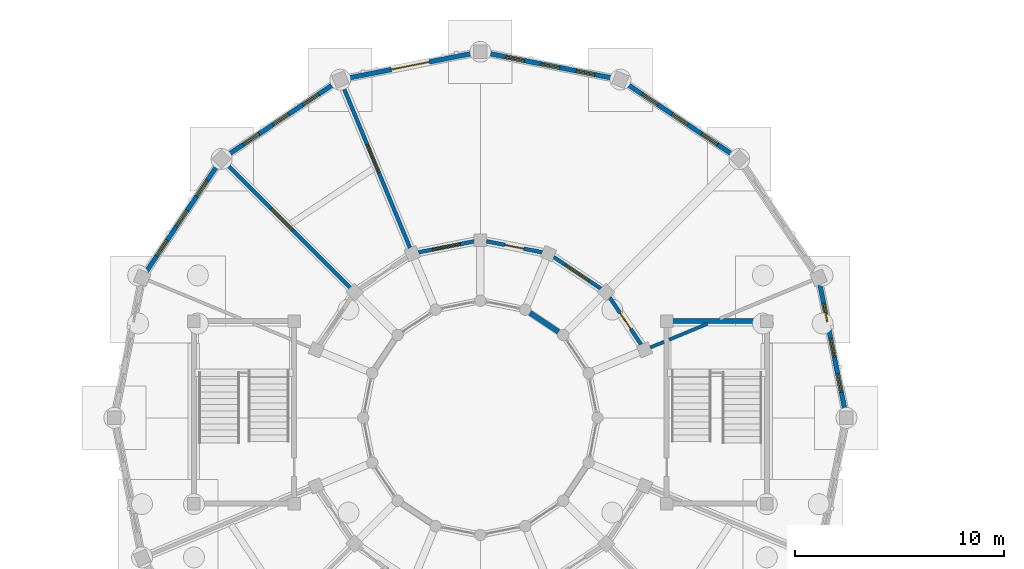
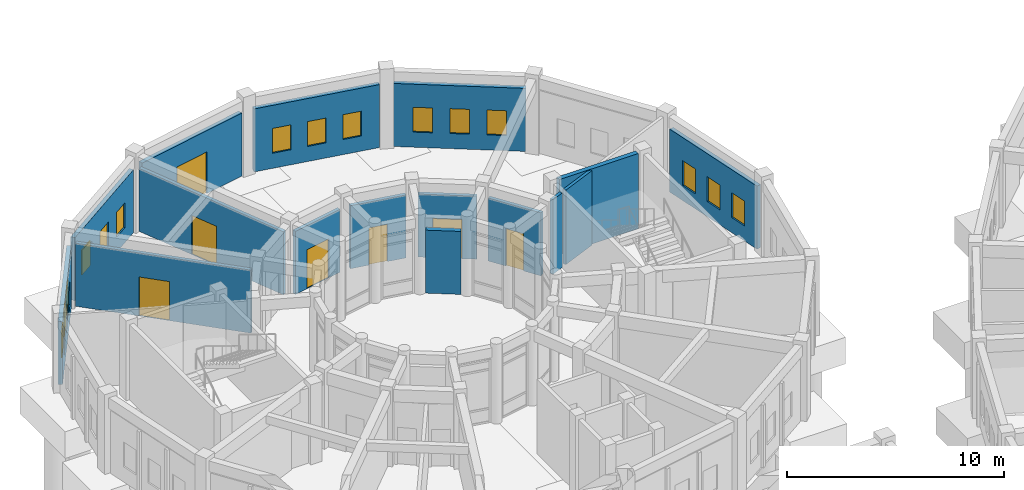
# One storey, part 129 of 153: 16 walls, 15 windows, 7 doors, 22 openings.
"""IFC4 building model written with IfcOpenShell, lengths in metres."""

from ifc_helpers import new_model, si_unit, direction, frame, frame_2d, origin, place, context, subcontext, project, spatial, rectangle, extrude, material, layer, layer_set, type_object, element, fill, save


model = new_model("IFC4")

# Units and contexts
model_context = context("Model", 3, precision=1e-05, world=origin(), true_north=direction((0.0, 1.0)))
body_context = subcontext(model_context, "Body", "Model", "MODEL_VIEW")
ifc_project = project(units=[si_unit("LENGTHUNIT", "METRE"), si_unit("AREAUNIT", "SQUARE_METRE"), si_unit("VOLUMEUNIT", "CUBIC_METRE"), si_unit("PLANEANGLEUNIT", "RADIAN"), si_unit("MASSUNIT", "GRAM", prefix="KILO")], contexts=[model_context])

# Site, building, storey
site_placement = place(None, origin())
site = spatial("IfcSite", under=ifc_project, at=site_placement, CompositionType="ELEMENT")
building_placement = place(site_placement, origin())
building = spatial("IfcBuilding", under=site, at=building_placement, Name="Celadon Cloister-Ring School", CompositionType="ELEMENT")
storey_placement = place(building_placement, origin())
storey = spatial("IfcBuildingStorey", under=building, at=storey_placement, Name="L00", CompositionType="ELEMENT", Elevation=0.0)

# Wall
ifc_material_1 = material(Name="Rendered concrete blockwork", Category="masonry")
ifc_layer_1 = layer(ifc_material_1, 0.239990234375)
ifc_layer_set_1 = layer_set([ifc_layer_1], Name="Rendered concrete blockwork")
wall_type_1 = type_object("IfcWallType", Name="WT-EX3", PredefinedType="SOLIDWALL", material=ifc_layer_set_1)
wall_1_placement = place(storey_placement, frame((23.929931640625, 101.114013671875, 0.0), z_axis=(0.0, 0.0, 1.0), x_axis=(-0.83165874011, 0.555287078904, 0.0)))
element("IfcWall", 1, at=wall_1_placement, inside=storey, type_object=wall_type_1, Name="Exterior Wall 0214", PredefinedType="SOLIDWALL", context=body_context, shape_type="SweptSolid", body=[
    extrude(rectangle(XDim=1.631591796875, YDim=0.239990234375, at=frame_2d((0.81591796875, 0.0))), origin(), (0.0, 0.0, 1.0), 3.550048828125),
])

# Wall, openings, windows
ifc_material_2 = material(Name="Perforated terracotta clay brick masonry", Category="masonry")
ifc_layer_2 = layer(ifc_material_2, 0.219970703125)
ifc_layer_set_2 = layer_set([ifc_layer_2], Name="Perforated terracotta clay brick masonry")
wall_type_2 = type_object("IfcWallType", Name="WT-EX4", PredefinedType="SOLIDWALL", material=ifc_layer_set_2)
wall_2_placement = place(storey_placement, frame((36.43701171875, 103.34912109375, 0.0), z_axis=(0.0, 0.0, 1.0), x_axis=(0.195149240347, -0.980773558979, 0.0)))
wall_2 = element("IfcWall", 2, at=wall_2_placement, inside=storey, type_object=wall_type_2, Name="Exterior Wall 0211", PredefinedType="SOLIDWALL", context=body_context, shape_type="SweptSolid", body=[
    extrude(rectangle(XDim=6.118896484375, YDim=0.219970703125, at=frame_2d((3.0595703125, 0.0))), origin(), (0.0, 0.0, 1.0), 3.550048828125),
])
opening_1_placement = place(wall_2_placement, frame((0.89599609375, 0.0, 0.85009765625)))
opening_1 = element("IfcOpeningElement", 3, at=opening_1_placement, cuts=wall_2, Name="Opening WN-21", PredefinedType="OPENING", context=body_context, shape_type="SweptSolid", body=[
    extrude(rectangle(XDim=0.89990234375, YDim=1.39990234375, at=frame_2d((0.449951171875, 0.699951171875))), frame((0.0, 0.1201171875, 0.0), z_axis=(0.0, -1.0, 0.0), x_axis=(1.0, 0.0, 0.0)), (0.0, 0.0, 1.0), 0.239990234375),
])
opening_2_placement = place(wall_2_placement, frame((2.60888671875, 0.0, 0.85009765625)))
opening_2 = element("IfcOpeningElement", 4, at=opening_2_placement, cuts=wall_2, Name="Opening WN-21", PredefinedType="OPENING", context=body_context, shape_type="SweptSolid", body=[
    extrude(rectangle(XDim=0.89990234375, YDim=1.39990234375, at=frame_2d((0.449951171875, 0.699951171875))), frame((0.0, 0.1201171875, 0.0), z_axis=(0.0, -1.0, 0.0), x_axis=(1.0, 0.0, 0.0)), (0.0, 0.0, 1.0), 0.239990234375),
])
opening_3_placement = place(wall_2_placement, frame((4.322998046875, 0.0, 0.85009765625)))
opening_3 = element("IfcOpeningElement", 5, at=opening_3_placement, cuts=wall_2, Name="Opening WN-21", PredefinedType="OPENING", context=body_context, shape_type="SweptSolid", body=[
    extrude(rectangle(XDim=0.89990234375, YDim=1.39990234375, at=frame_2d((0.449951171875, 0.699951171875))), frame((0.0, 0.1201171875, 0.0), z_axis=(0.0, -1.0, 0.0), x_axis=(1.0, 0.0, 0.0)), (0.0, 0.0, 1.0), 0.239990234375),
])
ifc_material_3 = material(Name="Tempered laminated insulating glass", Category="glass")
window_type = type_object("IfcWindowType", Name="WN-21", PartitioningType="SINGLE_PANEL", PredefinedType="WINDOW", material=ifc_material_3)
window_1_placement = place(opening_1_placement, origin())
window_1 = element("IfcWindow", 6, at=window_1_placement, inside=storey, type_object=window_type, Name="Window 0578", OverallHeight=1.39990234375, OverallWidth=0.89990234375, PartitioningType="SINGLE_PANEL", PredefinedType="WINDOW", context=body_context, shape_type="SweptSolid", body=[
    extrude(rectangle(XDim=0.89990234375, YDim=1.39990234375, at=frame_2d((0.449951171875, 0.699951171875))), frame((0.0, 0.030029296875, 0.0), z_axis=(0.0, -1.0, 0.0), x_axis=(1.0, 0.0, 0.0)), (0.0, 0.0, 1.0), 0.06005859375),
])
fill(opening_1, window_1)
window_2_placement = place(opening_2_placement, origin())
window_2 = element("IfcWindow", 7, at=window_2_placement, inside=storey, type_object=window_type, Name="Window 0579", OverallHeight=1.39990234375, OverallWidth=0.89990234375, PartitioningType="SINGLE_PANEL", PredefinedType="WINDOW", context=body_context, shape_type="SweptSolid", body=[
    extrude(rectangle(XDim=0.89990234375, YDim=1.39990234375, at=frame_2d((0.449951171875, 0.699951171875))), frame((0.0, 0.030029296875, 0.0), z_axis=(0.0, -1.0, 0.0), x_axis=(1.0, 0.0, 0.0)), (0.0, 0.0, 1.0), 0.06005859375),
])
fill(opening_2, window_2)
window_3_placement = place(opening_3_placement, origin())
window_3 = element("IfcWindow", 8, at=window_3_placement, inside=storey, type_object=window_type, Name="Window 0580", OverallHeight=1.39990234375, OverallWidth=0.89990234375, PartitioningType="SINGLE_PANEL", PredefinedType="WINDOW", context=body_context, shape_type="SweptSolid", body=[
    extrude(rectangle(XDim=0.89990234375, YDim=1.39990234375, at=frame_2d((0.449951171875, 0.699951171875))), frame((0.0, 0.030029296875, 0.0), z_axis=(0.0, -1.0, 0.0), x_axis=(1.0, 0.0, 0.0)), (0.0, 0.0, 1.0), 0.06005859375),
])
fill(opening_3, window_3)

wall_3_placement = place(storey_placement, frame((27.19189453125, 112.970947265625, 0.0), z_axis=(0.0, 0.0, 1.0), x_axis=(0.831411331728, -0.555657446161, 0.0)))
wall_3 = element("IfcWall", 9, at=wall_3_placement, inside=storey, type_object=wall_type_2, Name="Exterior Wall 0213", PredefinedType="SOLIDWALL", context=body_context, shape_type="SweptSolid", body=[
    extrude(rectangle(XDim=6.11865234375, YDim=0.219970703125, at=frame_2d((3.059326171875, 0.0))), origin(), (0.0, 0.0, 1.0), 3.550048828125),
])
opening_4_placement = place(wall_3_placement, frame((0.89599609375, 0.0, 0.85009765625)))
opening_4 = element("IfcOpeningElement", 10, at=opening_4_placement, cuts=wall_3, Name="Opening WN-21", PredefinedType="OPENING", context=body_context, shape_type="SweptSolid", body=[
    extrude(rectangle(XDim=0.89990234375, YDim=1.39990234375, at=frame_2d((0.449951171875, 0.699951171875))), frame((0.0, 0.1201171875, 0.0), z_axis=(0.0, -1.0, 0.0), x_axis=(1.0, 0.0, 0.0)), (0.0, 0.0, 1.0), 0.239990234375),
])
opening_5_placement = place(wall_3_placement, frame((2.60888671875, 0.0, 0.85009765625)))
opening_5 = element("IfcOpeningElement", 11, at=opening_5_placement, cuts=wall_3, Name="Opening WN-21", PredefinedType="OPENING", context=body_context, shape_type="SweptSolid", body=[
    extrude(rectangle(XDim=0.89990234375, YDim=1.39990234375, at=frame_2d((0.449951171875, 0.699951171875))), frame((0.0, 0.1201171875, 0.0), z_axis=(0.0, -1.0, 0.0), x_axis=(1.0, 0.0, 0.0)), (0.0, 0.0, 1.0), 0.239990234375),
])
opening_6_placement = place(wall_3_placement, frame((4.322998046875, 0.0, 0.85009765625)))
opening_6 = element("IfcOpeningElement", 12, at=opening_6_placement, cuts=wall_3, Name="Opening WN-21", PredefinedType="OPENING", context=body_context, shape_type="SweptSolid", body=[
    extrude(rectangle(XDim=0.89990234375, YDim=1.39990234375, at=frame_2d((0.449951171875, 0.699951171875))), frame((0.0, 0.1201171875, 0.0), z_axis=(0.0, -1.0, 0.0), x_axis=(1.0, 0.0, 0.0)), (0.0, 0.0, 1.0), 0.239990234375),
])
window_4_placement = place(opening_4_placement, origin())
window_4 = element("IfcWindow", 13, at=window_4_placement, inside=storey, type_object=window_type, Name="Window 0584", OverallHeight=1.39990234375, OverallWidth=0.89990234375, PartitioningType="SINGLE_PANEL", PredefinedType="WINDOW", context=body_context, shape_type="SweptSolid", body=[
    extrude(rectangle(XDim=0.89990234375, YDim=1.39990234375, at=frame_2d((0.449951171875, 0.699951171875))), frame((0.0, 0.030029296875, 0.0), z_axis=(0.0, -1.0, 0.0), x_axis=(1.0, 0.0, 0.0)), (0.0, 0.0, 1.0), 0.06005859375),
])
fill(opening_4, window_4)
window_5_placement = place(opening_5_placement, origin())
window_5 = element("IfcWindow", 14, at=window_5_placement, inside=storey, type_object=window_type, Name="Window 0585", OverallHeight=1.39990234375, OverallWidth=0.89990234375, PartitioningType="SINGLE_PANEL", PredefinedType="WINDOW", context=body_context, shape_type="SweptSolid", body=[
    extrude(rectangle(XDim=0.89990234375, YDim=1.39990234375, at=frame_2d((0.449951171875, 0.699951171875))), frame((0.0, 0.030029296875, 0.0), z_axis=(0.0, -1.0, 0.0), x_axis=(1.0, 0.0, 0.0)), (0.0, 0.0, 1.0), 0.06005859375),
])
fill(opening_5, window_5)
window_6_placement = place(opening_6_placement, origin())
window_6 = element("IfcWindow", 15, at=window_6_placement, inside=storey, type_object=window_type, Name="Window 0586", OverallHeight=1.39990234375, OverallWidth=0.89990234375, PartitioningType="SINGLE_PANEL", PredefinedType="WINDOW", context=body_context, shape_type="SweptSolid", body=[
    extrude(rectangle(XDim=0.89990234375, YDim=1.39990234375, at=frame_2d((0.449951171875, 0.699951171875))), frame((0.0, 0.030029296875, 0.0), z_axis=(0.0, -1.0, 0.0), x_axis=(1.0, 0.0, 0.0)), (0.0, 0.0, 1.0), 0.06005859375),
])
fill(opening_6, window_6)

wall_4_placement = place(storey_placement, frame((20.548095703125, 114.430908203125, 0.0), z_axis=(0.0, 0.0, 1.0), x_axis=(0.98077967596, -0.19511849534, 0.0)))
wall_4 = element("IfcWall", 16, at=wall_4_placement, inside=storey, type_object=wall_type_2, Name="Exterior Wall 0215", PredefinedType="SOLIDWALL", context=body_context, shape_type="SweptSolid", body=[
    extrude(rectangle(XDim=6.11865234375, YDim=0.219970703125, at=frame_2d((3.059326171875, 0.0))), origin(), (0.0, 0.0, 1.0), 3.550048828125),
])
opening_7_placement = place(wall_4_placement, frame((0.89599609375, 0.0, 0.85009765625)))
opening_7 = element("IfcOpeningElement", 17, at=opening_7_placement, cuts=wall_4, Name="Opening WN-21", PredefinedType="OPENING", context=body_context, shape_type="SweptSolid", body=[
    extrude(rectangle(XDim=0.89990234375, YDim=1.39990234375, at=frame_2d((0.449951171875, 0.699951171875))), frame((0.0, 0.1201171875, 0.0), z_axis=(0.0, -1.0, 0.0), x_axis=(1.0, 0.0, 0.0)), (0.0, 0.0, 1.0), 0.239990234375),
])
opening_8_placement = place(wall_4_placement, frame((2.60888671875, 0.0, 0.85009765625)))
opening_8 = element("IfcOpeningElement", 18, at=opening_8_placement, cuts=wall_4, Name="Opening WN-21", PredefinedType="OPENING", context=body_context, shape_type="SweptSolid", body=[
    extrude(rectangle(XDim=0.89990234375, YDim=1.39990234375, at=frame_2d((0.449951171875, 0.699951171875))), frame((0.0, 0.1201171875, 0.0), z_axis=(0.0, -1.0, 0.0), x_axis=(1.0, 0.0, 0.0)), (0.0, 0.0, 1.0), 0.239990234375),
])
opening_9_placement = place(wall_4_placement, frame((4.322998046875, 0.0, 0.85009765625)))
opening_9 = element("IfcOpeningElement", 19, at=opening_9_placement, cuts=wall_4, Name="Opening WN-21", PredefinedType="OPENING", context=body_context, shape_type="SweptSolid", body=[
    extrude(rectangle(XDim=0.89990234375, YDim=1.39990234375, at=frame_2d((0.449951171875, 0.699951171875))), frame((0.0, 0.1201171875, 0.0), z_axis=(0.0, -1.0, 0.0), x_axis=(1.0, 0.0, 0.0)), (0.0, 0.0, 1.0), 0.239990234375),
])
window_7_placement = place(opening_7_placement, origin())
window_7 = element("IfcWindow", 20, at=window_7_placement, inside=storey, type_object=window_type, Name="Window 0587", OverallHeight=1.39990234375, OverallWidth=0.89990234375, PartitioningType="SINGLE_PANEL", PredefinedType="WINDOW", context=body_context, shape_type="SweptSolid", body=[
    extrude(rectangle(XDim=0.89990234375, YDim=1.39990234375, at=frame_2d((0.449951171875, 0.699951171875))), frame((0.0, 0.030029296875, 0.0), z_axis=(0.0, -1.0, 0.0), x_axis=(1.0, 0.0, 0.0)), (0.0, 0.0, 1.0), 0.06005859375),
])
fill(opening_7, window_7)
window_8_placement = place(opening_8_placement, origin())
window_8 = element("IfcWindow", 21, at=window_8_placement, inside=storey, type_object=window_type, Name="Window 0588", OverallHeight=1.39990234375, OverallWidth=0.89990234375, PartitioningType="SINGLE_PANEL", PredefinedType="WINDOW", context=body_context, shape_type="SweptSolid", body=[
    extrude(rectangle(XDim=0.89990234375, YDim=1.39990234375, at=frame_2d((0.449951171875, 0.699951171875))), frame((0.0, 0.030029296875, 0.0), z_axis=(0.0, -1.0, 0.0), x_axis=(1.0, 0.0, 0.0)), (0.0, 0.0, 1.0), 0.06005859375),
])
fill(opening_8, window_8)
window_9_placement = place(opening_9_placement, origin())
window_9 = element("IfcWindow", 22, at=window_9_placement, inside=storey, type_object=window_type, Name="Window 0589", OverallHeight=1.39990234375, OverallWidth=0.89990234375, PartitioningType="SINGLE_PANEL", PredefinedType="WINDOW", context=body_context, shape_type="SweptSolid", body=[
    extrude(rectangle(XDim=0.89990234375, YDim=1.39990234375, at=frame_2d((0.449951171875, 0.699951171875))), frame((0.0, 0.030029296875, 0.0), z_axis=(0.0, -1.0, 0.0), x_axis=(1.0, 0.0, 0.0)), (0.0, 0.0, 1.0), 0.06005859375),
])
fill(opening_9, window_9)

# Wall, opening, door
wall_5_placement = place(storey_placement, frame((13.85107421875, 113.237060546875, 0.0), z_axis=(0.0, 0.0, 1.0), x_axis=(0.98077967596, 0.19511849534, 0.0)))
wall_5 = element("IfcWall", 23, at=wall_5_placement, inside=storey, type_object=wall_type_2, Name="Exterior Wall 0216", PredefinedType="SOLIDWALL", context=body_context, shape_type="SweptSolid", body=[
    extrude(rectangle(XDim=6.11865234375, YDim=0.219970703125, at=frame_2d((3.059326171875, 0.0))), origin(), (0.0, 0.0, 1.0), 3.550048828125),
])
opening_10_placement = place(wall_5_placement, frame((2.134033203125, 0.0, 0.0)))
opening_10 = element("IfcOpeningElement", 24, at=opening_10_placement, cuts=wall_5, Name="Opening D-0011", PredefinedType="OPENING", context=body_context, shape_type="SweptSolid", body=[
    extrude(rectangle(XDim=1.85009765625, YDim=2.35009765625, at=frame_2d((0.925048828125, 1.175048828125))), frame((0.0, 0.1201171875, 0.0), z_axis=(0.0, -1.0, 0.0), x_axis=(1.0, 0.0, 0.0)), (0.0, 0.0, 1.0), 0.239990234375),
])
ifc_material_4 = material(Name="Aluminium EN AW-6063 T6", Category="aluminium")
door_type_1 = type_object("IfcDoorType", Name="DE-10", OperationType="NOTDEFINED", PredefinedType="DOOR", material=ifc_material_4)
door_1_placement = place(opening_10_placement, origin())
door_1 = element("IfcDoor", 25, at=door_1_placement, inside=storey, type_object=door_type_1, Name="Exterior Door D-0011", OperationType="SINGLE_SWING_LEFT", OverallHeight=2.35009765625, OverallWidth=1.85009765625, PredefinedType="DOOR", context=body_context, shape_type="SweptSolid", body=[
    extrude(rectangle(XDim=1.85009765625, YDim=2.35009765625, at=frame_2d((0.925048828125, 1.175048828125))), frame((0.0, 0.02490234375, 0.0), z_axis=(0.0, -1.0, 0.0), x_axis=(1.0, 0.0, 0.0)), (0.0, 0.0, 1.0), 0.050048828125),
])
fill(opening_10, door_1)

# Wall, openings, windows
wall_6_placement = place(storey_placement, frame((8.12109375, 109.571044921875, 0.0), z_axis=(0.0, 0.0, 1.0), x_axis=(0.83139901156, 0.555675879967, 0.0)))
wall_6 = element("IfcWall", 26, at=wall_6_placement, inside=storey, type_object=wall_type_2, Name="Exterior Wall 0217", PredefinedType="SOLIDWALL", context=body_context, shape_type="SweptSolid", body=[
    extrude(rectangle(XDim=6.118408203125, YDim=0.219970703125, at=frame_2d((3.05908203125, 0.0))), origin(), (0.0, 0.0, 1.0), 3.550048828125),
])
opening_11_placement = place(wall_6_placement, frame((0.89599609375, 0.0, 0.85009765625)))
opening_11 = element("IfcOpeningElement", 27, at=opening_11_placement, cuts=wall_6, Name="Opening WN-21", PredefinedType="OPENING", context=body_context, shape_type="SweptSolid", body=[
    extrude(rectangle(XDim=0.89990234375, YDim=1.39990234375, at=frame_2d((0.449951171875, 0.699951171875))), frame((0.0, 0.1201171875, 0.0), z_axis=(0.0, -1.0, 0.0), x_axis=(1.0, 0.0, 0.0)), (0.0, 0.0, 1.0), 0.239990234375),
])
opening_12_placement = place(wall_6_placement, frame((2.60888671875, 0.0, 0.85009765625)))
opening_12 = element("IfcOpeningElement", 28, at=opening_12_placement, cuts=wall_6, Name="Opening WN-21", PredefinedType="OPENING", context=body_context, shape_type="SweptSolid", body=[
    extrude(rectangle(XDim=0.89990234375, YDim=1.39990234375, at=frame_2d((0.449951171875, 0.699951171875))), frame((0.0, 0.1201171875, 0.0), z_axis=(0.0, -1.0, 0.0), x_axis=(1.0, 0.0, 0.0)), (0.0, 0.0, 1.0), 0.239990234375),
])
opening_13_placement = place(wall_6_placement, frame((4.322998046875, 0.0, 0.85009765625)))
opening_13 = element("IfcOpeningElement", 29, at=opening_13_placement, cuts=wall_6, Name="Opening WN-21", PredefinedType="OPENING", context=body_context, shape_type="SweptSolid", body=[
    extrude(rectangle(XDim=0.89990234375, YDim=1.39990234375, at=frame_2d((0.449951171875, 0.699951171875))), frame((0.0, 0.1201171875, 0.0), z_axis=(0.0, -1.0, 0.0), x_axis=(1.0, 0.0, 0.0)), (0.0, 0.0, 1.0), 0.239990234375),
])
window_10_placement = place(opening_11_placement, origin())
window_10 = element("IfcWindow", 30, at=window_10_placement, inside=storey, type_object=window_type, Name="Window 0590", OverallHeight=1.39990234375, OverallWidth=0.89990234375, PartitioningType="SINGLE_PANEL", PredefinedType="WINDOW", context=body_context, shape_type="SweptSolid", body=[
    extrude(rectangle(XDim=0.89990234375, YDim=1.39990234375, at=frame_2d((0.449951171875, 0.699951171875))), frame((0.0, 0.030029296875, 0.0), z_axis=(0.0, -1.0, 0.0), x_axis=(1.0, 0.0, 0.0)), (0.0, 0.0, 1.0), 0.06005859375),
])
fill(opening_11, window_10)
window_11_placement = place(opening_12_placement, origin())
window_11 = element("IfcWindow", 31, at=window_11_placement, inside=storey, type_object=window_type, Name="Window 0591", OverallHeight=1.39990234375, OverallWidth=0.89990234375, PartitioningType="SINGLE_PANEL", PredefinedType="WINDOW", context=body_context, shape_type="SweptSolid", body=[
    extrude(rectangle(XDim=0.89990234375, YDim=1.39990234375, at=frame_2d((0.449951171875, 0.699951171875))), frame((0.0, 0.030029296875, 0.0), z_axis=(0.0, -1.0, 0.0), x_axis=(1.0, 0.0, 0.0)), (0.0, 0.0, 1.0), 0.06005859375),
])
fill(opening_12, window_11)
window_12_placement = place(opening_13_placement, origin())
window_12 = element("IfcWindow", 32, at=window_12_placement, inside=storey, type_object=window_type, Name="Window 0592", OverallHeight=1.39990234375, OverallWidth=0.89990234375, PartitioningType="SINGLE_PANEL", PredefinedType="WINDOW", context=body_context, shape_type="SweptSolid", body=[
    extrude(rectangle(XDim=0.89990234375, YDim=1.39990234375, at=frame_2d((0.449951171875, 0.699951171875))), frame((0.0, 0.030029296875, 0.0), z_axis=(0.0, -1.0, 0.0), x_axis=(1.0, 0.0, 0.0)), (0.0, 0.0, 1.0), 0.06005859375),
])
fill(opening_13, window_12)

wall_7_placement = place(storey_placement, frame((4.22900390625, 103.991943359375, 0.0), z_axis=(0.0, 0.0, 1.0), x_axis=(0.555657446161, 0.831411331728, 0.0)))
wall_7 = element("IfcWall", 33, at=wall_7_placement, inside=storey, type_object=wall_type_2, Name="Exterior Wall 0218", PredefinedType="SOLIDWALL", context=body_context, shape_type="SweptSolid", body=[
    extrude(rectangle(XDim=6.11865234375, YDim=0.219970703125, at=frame_2d((3.059326171875, 0.0))), origin(), (0.0, 0.0, 1.0), 3.550048828125),
])
opening_14_placement = place(wall_7_placement, frame((0.89599609375, 0.0, 0.85009765625)))
opening_14 = element("IfcOpeningElement", 34, at=opening_14_placement, cuts=wall_7, Name="Opening WN-21", PredefinedType="OPENING", context=body_context, shape_type="SweptSolid", body=[
    extrude(rectangle(XDim=0.89990234375, YDim=1.39990234375, at=frame_2d((0.449951171875, 0.699951171875))), frame((0.0, 0.1201171875, 0.0), z_axis=(0.0, -1.0, 0.0), x_axis=(1.0, 0.0, 0.0)), (0.0, 0.0, 1.0), 0.239990234375),
])
opening_15_placement = place(wall_7_placement, frame((2.60888671875, 0.0, 0.85009765625)))
opening_15 = element("IfcOpeningElement", 35, at=opening_15_placement, cuts=wall_7, Name="Opening WN-21", PredefinedType="OPENING", context=body_context, shape_type="SweptSolid", body=[
    extrude(rectangle(XDim=0.89990234375, YDim=1.39990234375, at=frame_2d((0.449951171875, 0.699951171875))), frame((0.0, 0.1201171875, 0.0), z_axis=(0.0, -1.0, 0.0), x_axis=(1.0, 0.0, 0.0)), (0.0, 0.0, 1.0), 0.239990234375),
])
opening_16_placement = place(wall_7_placement, frame((4.322998046875, 0.0, 0.85009765625)))
opening_16 = element("IfcOpeningElement", 36, at=opening_16_placement, cuts=wall_7, Name="Opening WN-21", PredefinedType="OPENING", context=body_context, shape_type="SweptSolid", body=[
    extrude(rectangle(XDim=0.89990234375, YDim=1.39990234375, at=frame_2d((0.449951171875, 0.699951171875))), frame((0.0, 0.1201171875, 0.0), z_axis=(0.0, -1.0, 0.0), x_axis=(1.0, 0.0, 0.0)), (0.0, 0.0, 1.0), 0.239990234375),
])
window_13_placement = place(opening_14_placement, origin())
window_13 = element("IfcWindow", 37, at=window_13_placement, inside=storey, type_object=window_type, Name="Window 0593", OverallHeight=1.39990234375, OverallWidth=0.89990234375, PartitioningType="SINGLE_PANEL", PredefinedType="WINDOW", context=body_context, shape_type="SweptSolid", body=[
    extrude(rectangle(XDim=0.89990234375, YDim=1.39990234375, at=frame_2d((0.449951171875, 0.699951171875))), frame((0.0, 0.030029296875, 0.0), z_axis=(0.0, -1.0, 0.0), x_axis=(1.0, 0.0, 0.0)), (0.0, 0.0, 1.0), 0.06005859375),
])
fill(opening_14, window_13)
window_14_placement = place(opening_15_placement, origin())
window_14 = element("IfcWindow", 38, at=window_14_placement, inside=storey, type_object=window_type, Name="Window 0594", OverallHeight=1.39990234375, OverallWidth=0.89990234375, PartitioningType="SINGLE_PANEL", PredefinedType="WINDOW", context=body_context, shape_type="SweptSolid", body=[
    extrude(rectangle(XDim=0.89990234375, YDim=1.39990234375, at=frame_2d((0.449951171875, 0.699951171875))), frame((0.0, 0.030029296875, 0.0), z_axis=(0.0, -1.0, 0.0), x_axis=(1.0, 0.0, 0.0)), (0.0, 0.0, 1.0), 0.06005859375),
])
fill(opening_15, window_14)
window_15_placement = place(opening_16_placement, origin())
window_15 = element("IfcWindow", 39, at=window_15_placement, inside=storey, type_object=window_type, Name="Window 0595", OverallHeight=1.39990234375, OverallWidth=0.89990234375, PartitioningType="SINGLE_PANEL", PredefinedType="WINDOW", context=body_context, shape_type="SweptSolid", body=[
    extrude(rectangle(XDim=0.89990234375, YDim=1.39990234375, at=frame_2d((0.449951171875, 0.699951171875))), frame((0.0, 0.030029296875, 0.0), z_axis=(0.0, -1.0, 0.0), x_axis=(1.0, 0.0, 0.0)), (0.0, 0.0, 1.0), 0.06005859375),
])
fill(opening_16, window_15)

# Wall, opening, door
ifc_material_5 = material(Name="Plastered hollow concrete masonry", Category="masonry")
ifc_layer_3 = layer(ifc_material_5, 0.179931640625)
ifc_layer_set_3 = layer_set([ifc_layer_3], Name="Plastered hollow concrete masonry")
wall_type_3 = type_object("IfcWallType", Name="WT-PT2", PredefinedType="PARTITIONING", material=ifc_layer_set_3)
wall_8_placement = place(storey_placement, frame((16.8359375, 105.123046875, 0.0), z_axis=(0.0, 0.0, 1.0), x_axis=(-0.382780060664, 0.923839501839, 0.0)))
wall_8 = element("IfcWall", 40, at=wall_8_placement, inside=storey, type_object=wall_type_3, Name="Interior Wall 0641", PredefinedType="PARTITIONING", context=body_context, shape_type="SweptSolid", body=[
    extrude(rectangle(XDim=8.39111328125, YDim=0.179931640625, at=frame_2d((4.195556640625, 0.0))), origin(), (0.0, 0.0, 1.0), 3.552001953125),
])
opening_17_placement = place(wall_8_placement, frame((3.89697265625, 0.0, 0.0)))
opening_17 = element("IfcOpeningElement", 41, at=opening_17_placement, cuts=wall_8, Name="Opening D-0235", PredefinedType="OPENING", context=body_context, shape_type="SweptSolid", body=[
    extrude(rectangle(XDim=1.449951171875, YDim=2.199951171875, at=frame_2d((0.72509765625, 1.10009765625))), frame((0.0, 0.10009765625, 0.0), z_axis=(0.0, -1.0, 0.0), x_axis=(1.0, 0.0, 0.0)), (0.0, 0.0, 1.0), 0.199951171875),
])
ifc_material_6 = material(Name="Galvanised fire-rated hollow steel leaf", Category="steel")
door_type_2 = type_object("IfcDoorType", Name="DT-12", OperationType="NOTDEFINED", PredefinedType="DOOR", material=ifc_material_6)
door_2_placement = place(opening_17_placement, origin())
door_2 = element("IfcDoor", 42, at=door_2_placement, inside=storey, type_object=door_type_2, Name="Door D-0235", OperationType="SINGLE_SWING_LEFT", OverallHeight=2.199951171875, OverallWidth=1.449951171875, PredefinedType="DOOR", context=body_context, shape_type="SweptSolid", body=[
    extrude(rectangle(XDim=1.449951171875, YDim=2.199951171875, at=frame_2d((0.72509765625, 1.10009765625))), frame((0.0, 0.02490234375, 0.0), z_axis=(0.0, -1.0, 0.0), x_axis=(1.0, 0.0, 0.0)), (0.0, 0.0, 1.0), 0.050048828125),
])
fill(opening_17, door_2)

wall_9_placement = place(storey_placement, frame((13.98388671875, 103.216064453125, 0.0), z_axis=(0.0, 0.0, 1.0), x_axis=(-0.707106781187, 0.707106781187, 0.0)))
wall_9 = element("IfcWall", 43, at=wall_9_placement, inside=storey, type_object=wall_type_3, Name="Interior Wall 0642", PredefinedType="PARTITIONING", context=body_context, shape_type="SweptSolid", body=[
    extrude(rectangle(XDim=8.3916015625, YDim=0.179931640625, at=frame_2d((4.19580078125, 0.0))), origin(), (0.0, 0.0, 1.0), 3.552001953125),
])
opening_18_placement = place(wall_9_placement, frame((3.89794921875, 0.0, 0.0)))
opening_18 = element("IfcOpeningElement", 44, at=opening_18_placement, cuts=wall_9, Name="Opening D-0236", PredefinedType="OPENING", context=body_context, shape_type="SweptSolid", body=[
    extrude(rectangle(XDim=1.449951171875, YDim=2.199951171875, at=frame_2d((0.72509765625, 1.10009765625))), frame((0.0, 0.10009765625, 0.0), z_axis=(0.0, -1.0, 0.0), x_axis=(1.0, 0.0, 0.0)), (0.0, 0.0, 1.0), 0.199951171875),
])
door_3_placement = place(opening_18_placement, origin())
door_3 = element("IfcDoor", 45, at=door_3_placement, inside=storey, type_object=door_type_2, Name="Door D-0236", OperationType="SINGLE_SWING_RIGHT", OverallHeight=2.199951171875, OverallWidth=1.449951171875, PredefinedType="DOOR", context=body_context, shape_type="SweptSolid", body=[
    extrude(rectangle(XDim=1.449951171875, YDim=2.199951171875, at=frame_2d((0.72509765625, 1.10009765625))), frame((0.0, 0.02490234375, 0.0), z_axis=(0.0, -1.0, 0.0), x_axis=(1.0, 0.0, 0.0)), (0.0, 0.0, 1.0), 0.050048828125),
])
fill(opening_18, door_3)

wall_10_placement = place(storey_placement, frame((27.887939453125, 100.5009765625, 0.0), z_axis=(0.0, 0.0, 1.0), x_axis=(-0.556128339679, 0.831096426298, 0.0)))
wall_10 = element("IfcWall", 46, at=wall_10_placement, inside=storey, type_object=wall_type_3, Name="Interior Wall 0659", PredefinedType="PARTITIONING", context=body_context, shape_type="SweptSolid", body=[
    extrude(rectangle(XDim=2.720458984375, YDim=0.179931640625, at=frame_2d((1.3603515625, 0.0))), origin(), (0.0, 0.0, 1.0), 3.552001953125),
])
opening_19_placement = place(wall_10_placement, frame((0.89990234375, 0.0, 0.0)))
opening_19 = element("IfcOpeningElement", 47, at=opening_19_placement, cuts=wall_10, Name="Opening D-0237", PredefinedType="OPENING", context=body_context, shape_type="SweptSolid", body=[
    extrude(rectangle(XDim=0.919921875, YDim=2.10009765625, at=frame_2d((0.4599609375, 1.050048828125))), frame((0.0, 0.10009765625, 0.0), z_axis=(0.0, -1.0, 0.0), x_axis=(1.0, 0.0, 0.0)), (0.0, 0.0, 1.0), 0.199951171875),
])
ifc_material_7 = material(Name="Solid-core fire-rated hardwood leaf", Category="wood")
door_type_3 = type_object("IfcDoorType", Name="DT-02", OperationType="NOTDEFINED", PredefinedType="DOOR", material=ifc_material_7)
door_4_placement = place(opening_19_placement, origin())
door_4 = element("IfcDoor", 48, at=door_4_placement, inside=storey, type_object=door_type_3, Name="Door D-0237", OperationType="SINGLE_SWING_LEFT", OverallHeight=2.10009765625, OverallWidth=0.919921875, PredefinedType="DOOR", context=body_context, shape_type="SweptSolid", body=[
    extrude(rectangle(XDim=0.919921875, YDim=2.10009765625, at=frame_2d((0.4599609375, 1.050048828125))), frame((0.0, 0.02490234375, 0.0), z_axis=(0.0, -1.0, 0.0), x_axis=(1.0, 0.0, 0.0)), (0.0, 0.0, 1.0), 0.050048828125),
])
fill(opening_19, door_4)

wall_11_placement = place(storey_placement, frame((25.9619140625, 103.175048828125, 0.0), z_axis=(0.0, 0.0, 1.0), x_axis=(-0.831096426298, 0.556128339679, 0.0)))
wall_11 = element("IfcWall", 49, at=wall_11_placement, inside=storey, type_object=wall_type_3, Name="Interior Wall 0660", PredefinedType="PARTITIONING", context=body_context, shape_type="SweptSolid", body=[
    extrude(rectangle(XDim=2.720458984375, YDim=0.179931640625, at=frame_2d((1.3603515625, 0.0))), origin(), (0.0, 0.0, 1.0), 3.552001953125),
])
opening_20_placement = place(wall_11_placement, frame((0.68505859375, 0.0, 0.0)))
opening_20 = element("IfcOpeningElement", 50, at=opening_20_placement, cuts=wall_11, Name="Opening D-0238", PredefinedType="OPENING", context=body_context, shape_type="SweptSolid", body=[
    extrude(rectangle(XDim=1.35009765625, YDim=2.199951171875, at=frame_2d((0.675048828125, 1.10009765625))), frame((0.0, 0.10009765625, 0.0), z_axis=(0.0, -1.0, 0.0), x_axis=(1.0, 0.0, 0.0)), (0.0, 0.0, 1.0), 0.199951171875),
])
ifc_material_8 = material(Name="Galvanised fire-rated hollow steel leaf", Category="steel")
door_type_4 = type_object("IfcDoorType", Name="DT-11", OperationType="NOTDEFINED", PredefinedType="DOOR", material=ifc_material_8)
door_5_placement = place(opening_20_placement, origin())
door_5 = element("IfcDoor", 51, at=door_5_placement, inside=storey, type_object=door_type_4, Name="Door D-0238", OperationType="SINGLE_SWING_RIGHT", OverallHeight=2.199951171875, OverallWidth=1.35009765625, PredefinedType="DOOR", context=body_context, shape_type="SweptSolid", body=[
    extrude(rectangle(XDim=1.35009765625, YDim=2.199951171875, at=frame_2d((0.675048828125, 1.10009765625))), frame((0.0, 0.02490234375, 0.0), z_axis=(0.0, -1.0, 0.0), x_axis=(1.0, 0.0, 0.0)), (0.0, 0.0, 1.0), 0.050048828125),
])
fill(opening_20, door_5)

wall_12_placement = place(storey_placement, frame((23.160888671875, 104.910888671875, 0.0), z_axis=(0.0, 0.0, 1.0), x_axis=(-0.980776867939, 0.195132609565, 0.0)))
wall_12 = element("IfcWall", 52, at=wall_12_placement, inside=storey, type_object=wall_type_3, Name="Interior Wall 0661", PredefinedType="PARTITIONING", context=body_context, shape_type="SweptSolid", body=[
    extrude(rectangle(XDim=2.72119140625, YDim=0.179931640625, at=frame_2d((1.360595703125, 0.0))), origin(), (0.0, 0.0, 1.0), 3.552001953125),
])
opening_21_placement = place(wall_12_placement, frame((0.90087890625, 0.0, 0.0)))
opening_21 = element("IfcOpeningElement", 53, at=opening_21_placement, cuts=wall_12, Name="Opening D-0239", PredefinedType="OPENING", context=body_context, shape_type="SweptSolid", body=[
    extrude(rectangle(XDim=0.919921875, YDim=2.10009765625, at=frame_2d((0.4599609375, 1.050048828125))), frame((0.0, 0.10009765625, 0.0), z_axis=(0.0, -1.0, 0.0), x_axis=(1.0, 0.0, 0.0)), (0.0, 0.0, 1.0), 0.199951171875),
])
door_6_placement = place(opening_21_placement, origin())
door_6 = element("IfcDoor", 54, at=door_6_placement, inside=storey, type_object=door_type_3, Name="Door D-0239", OperationType="SINGLE_SWING_LEFT", OverallHeight=2.10009765625, OverallWidth=0.919921875, PredefinedType="DOOR", context=body_context, shape_type="SweptSolid", body=[
    extrude(rectangle(XDim=0.919921875, YDim=2.10009765625, at=frame_2d((0.4599609375, 1.050048828125))), frame((0.0, 0.02490234375, 0.0), z_axis=(0.0, -1.0, 0.0), x_axis=(1.0, 0.0, 0.0)), (0.0, 0.0, 1.0), 0.050048828125),
])
fill(opening_21, door_6)

wall_13_placement = place(storey_placement, frame((19.907958984375, 105.44189453125, 0.0), z_axis=(0.0, 0.0, 1.0), x_axis=(-0.980776867939, -0.195132609565, 0.0)))
wall_13 = element("IfcWall", 55, at=wall_13_placement, inside=storey, type_object=wall_type_3, Name="Interior Wall 0662", PredefinedType="PARTITIONING", context=body_context, shape_type="SweptSolid", body=[
    extrude(rectangle(XDim=2.72119140625, YDim=0.179931640625, at=frame_2d((1.360595703125, 0.0))), origin(), (0.0, 0.0, 1.0), 3.552001953125),
])
opening_22_placement = place(wall_13_placement, frame((0.68603515625, 0.0, 0.0)))
opening_22 = element("IfcOpeningElement", 56, at=opening_22_placement, cuts=wall_13, Name="Opening D-0240", PredefinedType="OPENING", context=body_context, shape_type="SweptSolid", body=[
    extrude(rectangle(XDim=1.35009765625, YDim=2.199951171875, at=frame_2d((0.675048828125, 1.10009765625))), frame((0.0, 0.10009765625, 0.0), z_axis=(0.0, -1.0, 0.0), x_axis=(1.0, 0.0, 0.0)), (0.0, 0.0, 1.0), 0.199951171875),
])
door_7_placement = place(opening_22_placement, origin())
door_7 = element("IfcDoor", 57, at=door_7_placement, inside=storey, type_object=door_type_4, Name="Door D-0240", OperationType="SINGLE_SWING_RIGHT", OverallHeight=2.199951171875, OverallWidth=1.35009765625, PredefinedType="DOOR", context=body_context, shape_type="SweptSolid", body=[
    extrude(rectangle(XDim=1.35009765625, YDim=2.199951171875, at=frame_2d((0.675048828125, 1.10009765625))), frame((0.0, 0.02490234375, 0.0), z_axis=(0.0, -1.0, 0.0), x_axis=(1.0, 0.0, 0.0)), (0.0, 0.0, 1.0), 0.050048828125),
])
fill(opening_22, door_7)

# Walls
ifc_material_9 = material(Name="Plastered hollow concrete masonry", Category="masonry")
ifc_layer_4 = layer(ifc_material_9, 0.159912109375)
ifc_layer_set_4 = layer_set([ifc_layer_4], Name="Plastered hollow concrete masonry")
wall_type_4 = type_object("IfcWallType", Name="WT-PT3", PredefinedType="PARTITIONING", material=ifc_layer_set_4)
wall_14_placement = place(storey_placement, frame((28.322998046875, 100.364013671875, 0.0), z_axis=(0.0, 0.0, 1.0), x_axis=(0.923840285319, 0.382778169729, 0.0)))
element("IfcWall", 58, at=wall_14_placement, inside=storey, type_object=wall_type_4, Name="Interior Wall 0638", PredefinedType="PARTITIONING", context=body_context, shape_type="SweptSolid", body=[
    extrude(rectangle(XDim=0.7080078125, YDim=0.159912109375, at=frame_2d((0.35400390625, 0.0))), origin(), (0.0, 0.0, 1.0), 4.199951171875),
])
wall_15_placement = place(storey_placement, frame((29.222900390625, 100.737060546875, 0.0), z_axis=(0.0, 0.0, 1.0), x_axis=(0.923817443679, 0.382833293686, 0.0)))
element("IfcWall", 59, at=wall_15_placement, inside=storey, type_object=wall_type_4, Name="Interior Wall 0639", PredefinedType="PARTITIONING", context=body_context, shape_type="SweptSolid", body=[
    extrude(rectangle(XDim=1.985107421875, YDim=0.159912109375, at=frame_2d((0.99267578125, 0.0))), origin(), (0.0, 0.0, 1.0), 4.199951171875),
])
ifc_material_10 = material(Name="Concrete C40/50", Category="concrete")
ifc_layer_5 = layer(ifc_material_10, 0.239990234375)
ifc_layer_set_5 = layer_set([ifc_layer_5], Name="Concrete C40/50")
wall_type_5 = type_object("IfcWallType", Name="WT-SH1", PredefinedType="SHEAR", material=ifc_layer_set_5)
wall_16_placement = place(storey_placement, frame((33.60791015625, 101.6201171875, 0.0), z_axis=(0.0, 0.0, 1.0), x_axis=(-1.0, 0.0, 0.0)))
element("IfcWall", 60, at=wall_16_placement, inside=storey, type_object=wall_type_5, Name="Interior Wall 0100", PredefinedType="SHEAR", context=body_context, shape_type="SweptSolid", body=[
    extrude(rectangle(XDim=4.2158203125, YDim=0.239990234375, at=frame_2d((2.10791015625, 0.0))), origin(), (0.0, 0.0, 1.0), 4.239990234375),
])

save(model, "model.ifc")
